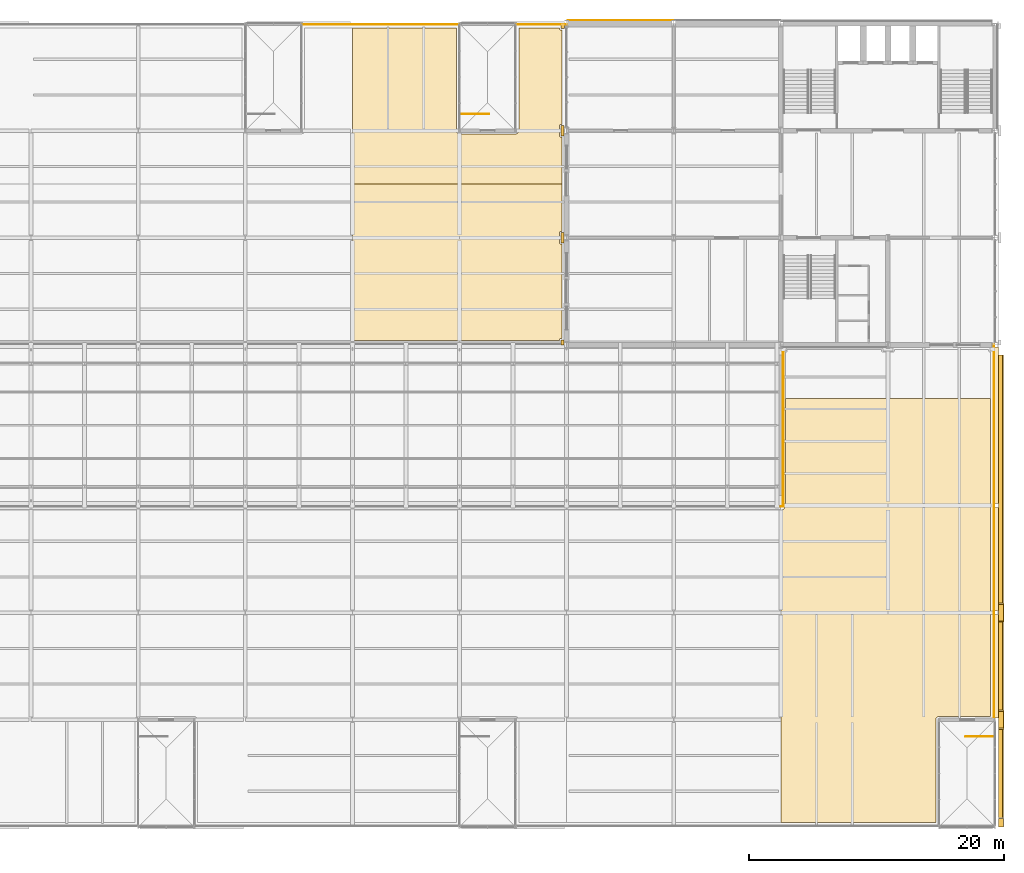
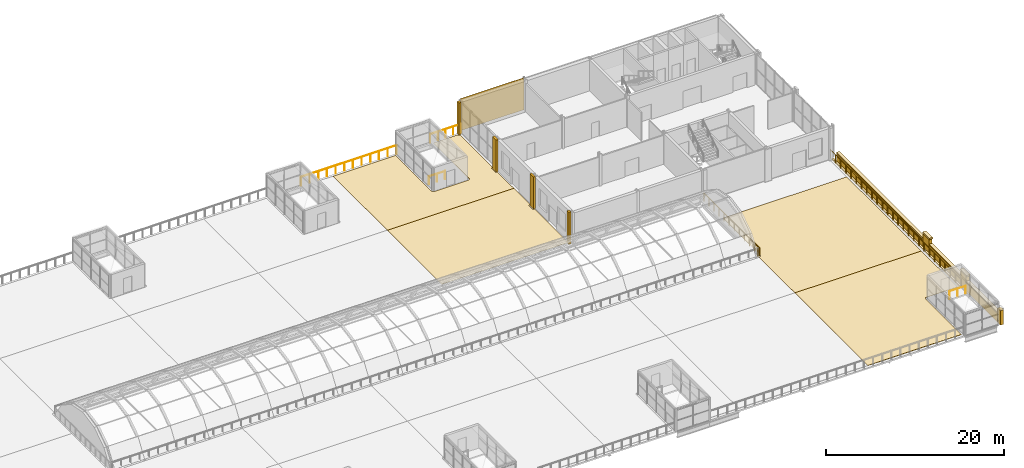
# One storey, part 53 of 58: 23 coverings, 6 railings.
"""IFC4 building model written with IfcOpenShell, lengths in metres."""

from ifc_helpers import new_model, si_unit, direction, frame, origin, origin_2d, place, context, subcontext, project, spatial, polyline, rectangle, circle, outline, extrude, material, layer, layer_set, type_object, element, save


model = new_model("IFC4")

# Units and contexts
model_context = context("Model", 3, precision=1e-05, world=origin(), true_north=direction((0.0, 1.0)))
body_context = subcontext(model_context, "Body", "Model", "MODEL_VIEW")
ifc_project = project(units=[si_unit("LENGTHUNIT", "METRE"), si_unit("AREAUNIT", "SQUARE_METRE"), si_unit("VOLUMEUNIT", "CUBIC_METRE"), si_unit("PLANEANGLEUNIT", "RADIAN"), si_unit("MASSUNIT", "GRAM", prefix="KILO")], contexts=[model_context])

# Site, building, storey
site_placement = place(None, origin())
site = spatial("IfcSite", under=ifc_project, at=site_placement, CompositionType="ELEMENT")
building_placement = place(site_placement, origin())
building = spatial("IfcBuilding", under=site, at=building_placement, Name="Galleria Vessillo Department Store", CompositionType="ELEMENT")
storey_placement = place(building_placement, frame((0.0, 0.0, 31.199951171875)))
storey = spatial("IfcBuildingStorey", under=building, at=storey_placement, Name="L06", CompositionType="ELEMENT", Elevation=31.199951171875)

# Coverings
ifc_material_1 = material(Name="Lime plaster (intonaco) ochre")
ifc_layer_1 = layer(ifc_material_1, 0.030029296875)
ifc_layer_set_1 = layer_set([ifc_layer_1], Name="Lime plaster (intonaco) ochre")
covering_type_1 = type_object("IfcCoveringType", Name="Lime plaster render 30 mm", PredefinedType="CLADDING", material=ifc_layer_set_1)
covering_1_placement = place(storey_placement, frame((88.222412109375, 63.264892578125, 0.0), z_axis=(0.0, 0.0, 1.0), x_axis=(1.0, 0.0, 0.0)))
element("IfcCovering", 1, at=covering_1_placement, inside=storey, type_object=covering_type_1, Name="Wall cladding S-TN-L06-01", PredefinedType="CLADDING", context=body_context, shape_type="SweptSolid", body=[
    extrude(rectangle(XDim=8.295166015625, YDim=0.030029296875, at=origin_2d()), origin(), (0.0, 0.0, 1.0), 4.39990234375),
])
ifc_material_2 = material(Name="Botticino limestone ashlar", Category="masonry")
ifc_layer_2 = layer(ifc_material_2, 0.409912109375)
ifc_layer_set_2 = layer_set([ifc_layer_2], Name="Botticino limestone ashlar")
covering_type_2 = type_object("IfcCoveringType", Name="Limestone attic pier 1300 x 410 x 2000", PredefinedType="CLADDING", material=ifc_layer_set_2)
covering_2_placement = place(storey_placement, frame((118.054931640625, 0.324951171875, -0.199951171875), z_axis=(0.0, 0.0, 1.0), x_axis=(1.0, 0.0, 0.0)))
element("IfcCovering", 2, at=covering_2_placement, inside=storey, type_object=covering_type_2, Name="Attic pier E y=0.0", PredefinedType="CLADDING", context=body_context, shape_type="SweptSolid", body=[
    extrude(rectangle(XDim=0.409912109375, YDim=0.64990234375, at=origin_2d()), origin(), (0.0, 0.0, 1.0), 2.0),
])
for number, where, z_axis, x_axis, name in (
    (3, (118.054931640625, 8.39990234375, -0.199951171875), (0.0, 0.0, 1.0), (1.0, 0.0, 0.0), "Attic pier E y=8.4"),
    (4, (118.054931640625, 16.800048828125, -0.199951171875), (0.0, 0.0, 1.0), (1.0, 0.0, 0.0), "Attic pier E y=16.8"),
):
    element("IfcCovering", number, at=place(storey_placement, frame(where, z_axis=z_axis, x_axis=x_axis)), inside=storey, type_object=covering_type_2, Name=name, PredefinedType="CLADDING", context=body_context, shape_type="SweptSolid", body=[
        extrude(rectangle(XDim=0.409912109375, YDim=1.300048828125, at=origin_2d()), origin(), (0.0, 0.0, 1.0), 2.0),
    ])
ifc_material_3 = material(Name="Botticino limestone ashlar", Category="masonry")
ifc_layer_3 = layer(ifc_material_3, 0.35009765625)
ifc_layer_set_3 = layer_set([ifc_layer_3], Name="Botticino limestone ashlar")
covering_type_3 = type_object("IfcCoveringType", Name="Limestone blocking course 350 x 1200", PredefinedType="CLADDING", material=ifc_layer_set_3)
covering_3_placement = place(storey_placement, frame((118.02490234375, 4.199951171875, -0.19970703125), z_axis=(0.0, 0.0, 1.0), x_axis=(1.0, 0.0, 0.0)))
element("IfcCovering", 5, at=covering_3_placement, inside=storey, type_object=covering_type_3, Name="Blocking course E y=0.7-7.7", PredefinedType="CLADDING", context=body_context, shape_type="SweptSolid", body=[
    extrude(rectangle(XDim=0.35009765625, YDim=7.099853515625, at=origin_2d()), origin(), (0.0, 0.0, 1.0), 1.199951171875),
])
covering_4_placement = place(storey_placement, frame((118.02490234375, 12.599853515625, -0.19970703125), z_axis=(0.0, 0.0, 1.0), x_axis=(1.0, 0.0, 0.0)))
element("IfcCovering", 6, at=covering_4_placement, inside=storey, type_object=covering_type_3, Name="Blocking course E y=9.0-16.2", PredefinedType="CLADDING", context=body_context, shape_type="SweptSolid", body=[
    extrude(rectangle(XDim=0.35009765625, YDim=7.10009765625, at=origin_2d()), origin(), (0.0, 0.0, 1.0), 1.199951171875),
])
covering_5_placement = place(storey_placement, frame((118.02490234375, 27.22509765625, -0.19970703125), z_axis=(0.0, 0.0, 1.0), x_axis=(1.0, 0.0, 0.0)))
element("IfcCovering", 7, at=covering_5_placement, inside=storey, type_object=covering_type_3, Name="Blocking course E y=17.4-37.0", PredefinedType="CLADDING", context=body_context, shape_type="SweptSolid", body=[
    extrude(rectangle(XDim=0.35009765625, YDim=19.550048828125, at=origin_2d()), origin(), (0.0, 0.0, 1.0), 1.199951171875),
])
ifc_material_4 = material(Name="Botticino limestone ashlar", Category="masonry")
ifc_layer_4 = layer(ifc_material_4, 0.429931640625)
ifc_layer_set_4 = layer_set([ifc_layer_4], Name="Botticino limestone ashlar")
covering_type_4 = type_object("IfcCoveringType", Name="Limestone blocking course cap 430 x 150", PredefinedType="MOLDING", material=ifc_layer_set_4)
covering_6_placement = place(storey_placement, frame((118.06494140625, 4.199951171875, 1.0), z_axis=(0.0, 0.0, 1.0), x_axis=(1.0, 0.0, 0.0)))
element("IfcCovering", 8, at=covering_6_placement, inside=storey, type_object=covering_type_4, Name="Blocking course cap E y=0.7-7.7", PredefinedType="MOLDING", context=body_context, shape_type="SweptSolid", body=[
    extrude(rectangle(XDim=0.429931640625, YDim=7.099853515625, at=origin_2d()), origin(), (0.0, 0.0, 1.0), 0.14990234375),
])
covering_7_placement = place(storey_placement, frame((118.06494140625, 12.599853515625, 1.0), z_axis=(0.0, 0.0, 1.0), x_axis=(1.0, 0.0, 0.0)))
element("IfcCovering", 9, at=covering_7_placement, inside=storey, type_object=covering_type_4, Name="Blocking course cap E y=9.0-16.2", PredefinedType="MOLDING", context=body_context, shape_type="SweptSolid", body=[
    extrude(rectangle(XDim=0.429931640625, YDim=7.10009765625, at=origin_2d()), origin(), (0.0, 0.0, 1.0), 0.14990234375),
])
covering_8_placement = place(storey_placement, frame((118.06494140625, 27.22509765625, 1.0), z_axis=(0.0, 0.0, 1.0), x_axis=(1.0, 0.0, 0.0)))
element("IfcCovering", 10, at=covering_8_placement, inside=storey, type_object=covering_type_4, Name="Blocking course cap E y=17.4-37.0", PredefinedType="MOLDING", context=body_context, shape_type="SweptSolid", body=[
    extrude(rectangle(XDim=0.429931640625, YDim=19.550048828125, at=origin_2d()), origin(), (0.0, 0.0, 1.0), 0.14990234375),
])
ifc_material_5 = material(Name="Botticino limestone ashlar", Category="masonry")
ifc_layer_5 = layer(ifc_material_5, 0.449951171875)
ifc_layer_set_5 = layer_set([ifc_layer_5], Name="Botticino limestone ashlar")
covering_type_5 = type_object("IfcCoveringType", Name="Limestone pier cap 1500 x 450 x 200", PredefinedType="MOLDING", material=ifc_layer_set_5)
for number, where, z_axis, x_axis, name in (
    (11, (118.074951171875, 8.39990234375, 1.80029296875), (0.0, 0.0, 1.0), (1.0, 0.0, 0.0), "Attic pier cap E y=8.4"),
    (12, (118.074951171875, 16.800048828125, 1.80029296875), (0.0, 0.0, 1.0), (1.0, 0.0, 0.0), "Attic pier cap E y=16.8"),
):
    element("IfcCovering", number, at=place(storey_placement, frame(where, z_axis=z_axis, x_axis=x_axis)), inside=storey, type_object=covering_type_5, Name=name, PredefinedType="MOLDING", context=body_context, shape_type="SweptSolid", body=[
        extrude(rectangle(XDim=0.449951171875, YDim=1.5, at=origin_2d()), origin(), (0.0, 0.0, 1.0), 0.199951171875),
    ])
ifc_material_6 = material(Name="Botticino limestone ashlar", Category="masonry")
ifc_layer_6 = layer(ifc_material_6, 0.14990234375)
ifc_layer_set_6 = layer_set([ifc_layer_6], Name="Botticino limestone ashlar")
covering_type_6 = type_object("IfcCoveringType", Name="Limestone slab-edge fascia 150 mm", PredefinedType="CLADDING", material=ifc_layer_set_6)
covering_9_placement = place(storey_placement, frame((117.72509765625, 12.60009765625, -0.19970703125), z_axis=(0.0, 0.0, 1.0), x_axis=(1.0, 0.0, 0.0)))
element("IfcCovering", 13, at=covering_9_placement, inside=storey, type_object=covering_type_6, Name="Slab-edge fascia SE-L05-01", PredefinedType="CLADDING", context=body_context, shape_type="SweptSolid", body=[
    extrude(rectangle(XDim=0.25, YDim=8.10009765625, at=origin_2d()), origin(), (0.0, 0.0, 1.0), 0.199951171875),
])
covering_10_placement = place(storey_placement, frame((117.72509765625, 20.998779296875, -0.19970703125), z_axis=(0.0, 0.0, 1.0), x_axis=(1.0, 0.0, 0.0)))
element("IfcCovering", 14, at=covering_10_placement, inside=storey, type_object=covering_type_6, Name="Slab-edge fascia SE-L05-02", PredefinedType="CLADDING", context=body_context, shape_type="SweptSolid", body=[
    extrude(rectangle(XDim=0.25, YDim=8.097412109375, at=origin_2d()), origin(), (0.0, 0.0, 1.0), 0.199951171875),
])
covering_11_placement = place(storey_placement, frame((117.72509765625, 31.49951171875, -0.19970703125), z_axis=(0.0, 0.0, 1.0), x_axis=(1.0, 0.0, 0.0)))
element("IfcCovering", 15, at=covering_11_placement, inside=storey, type_object=covering_type_6, Name="Slab-edge fascia SE-L05-03", PredefinedType="CLADDING", context=body_context, shape_type="SweptSolid", body=[
    extrude(rectangle(XDim=0.25, YDim=12.294189453125, at=origin_2d()), origin(), (0.0, 0.0, 1.0), 0.199951171875),
])
ifc_material_7 = material(Name="Botticino limestone ashlar", Category="masonry")
ifc_layer_7 = layer(ifc_material_7, 0.31005859375)
ifc_layer_set_7 = layer_set([ifc_layer_7], Name="Botticino limestone ashlar")
covering_type_7 = type_object("IfcCoveringType", Name="Limestone tower pilaster strip", PredefinedType="CLADDING", material=ifc_layer_set_7)
covering_12_placement = place(storey_placement, frame((83.669921875, 38.0, 0.0), z_axis=(0.0, 0.0, 1.0), x_axis=(1.0, 0.0, 0.0)))
element("IfcCovering", 16, at=covering_12_placement, inside=storey, type_object=covering_type_7, Name="Tower pilaster strip W L06 37.8", PredefinedType="CLADDING", context=body_context, shape_type="SweptSolid", body=[
    extrude(rectangle(XDim=0.260009765625, YDim=0.39990234375, at=origin_2d()), origin(), (0.0, 0.0, 1.0), 4.39990234375),
])
for number, where, z_axis, x_axis, name in (
    (17, (83.669921875, 46.199951171875, 0.0), (0.0, 0.0, 1.0), (1.0, 0.0, 0.0), "Tower pilaster strip W L06 46.2"),
    (18, (83.669921875, 54.60009765625, 0.0), (0.0, 0.0, 1.0), (1.0, 0.0, 0.0), "Tower pilaster strip W L06 54.6"),
):
    element("IfcCovering", number, at=place(storey_placement, frame(where, z_axis=z_axis, x_axis=x_axis)), inside=storey, type_object=covering_type_7, Name=name, PredefinedType="CLADDING", context=body_context, shape_type="SweptSolid", body=[
        extrude(rectangle(XDim=0.260009765625, YDim=0.800048828125, at=origin_2d()), origin(), (0.0, 0.0, 1.0), 4.39990234375),
    ])
covering_13_placement = place(storey_placement, frame((83.695068359375, 62.800048828125, 0.0), z_axis=(0.0, 0.0, 1.0), x_axis=(1.0, 0.0, 0.0)))
element("IfcCovering", 19, at=covering_13_placement, inside=storey, type_object=covering_type_7, Name="Tower pilaster strip W L06 63.0", PredefinedType="CLADDING", context=body_context, shape_type="SweptSolid", body=[
    extrude(rectangle(XDim=0.31005859375, YDim=0.39990234375, at=origin_2d()), origin(), (0.0, 0.0, 1.0), 4.39990234375),
])

# Railings
ifc_material_8 = material(Name="Limestone ashlar balusters", Category="masonry")
railing_type_1 = type_object("IfcRailingType", Name="Podium roof balustrade 1200 mm", PredefinedType="BALUSTRADE", material=ifc_material_8)
railing_1_placement = place(storey_placement, frame((63.199951171875, 62.919921875, 0.0)))
element("IfcRailing", 20, at=railing_1_placement, inside=storey, type_object=railing_type_1, Name="Podium roof balustrade L06-10", PredefinedType="BALUSTRADE", context=body_context, shape_type="SweptSolid", body=[
    extrude(circle(Radius=0.02392578125, at=origin_2d()), frame((0.0, 0.0, 1.17578125), z_axis=(1.0, 0.0, 0.0), x_axis=(0.0, 1.0, 0.0)), (0.0, 0.0, 1.0), 12.400146484375),
    extrude(circle(Radius=0.02099609375, at=origin_2d()), origin(), (0.0, 0.0, 1.0), 1.15185546875),
    extrude(circle(Radius=0.02099609375, at=origin_2d()), frame((1.127197265625, 0.0, 0.0)), (0.0, 0.0, 1.0), 1.15185546875),
    extrude(circle(Radius=0.02099609375, at=origin_2d()), frame((2.254638671875, 0.0, 0.0)), (0.0, 0.0, 1.0), 1.15185546875),
    extrude(circle(Radius=0.02099609375, at=origin_2d()), frame((3.3818359375, 0.0, 0.0)), (0.0, 0.0, 1.0), 1.15185546875),
    extrude(circle(Radius=0.02099609375, at=origin_2d()), frame((4.509033203125, 0.0, 0.0)), (0.0, 0.0, 1.0), 1.15185546875),
    extrude(circle(Radius=0.02099609375, at=origin_2d()), frame((5.636474609375, 0.0, 0.0)), (0.0, 0.0, 1.0), 1.15185546875),
    extrude(circle(Radius=0.02099609375, at=origin_2d()), frame((6.763671875, 0.0, 0.0)), (0.0, 0.0, 1.0), 1.15185546875),
    extrude(circle(Radius=0.02099609375, at=origin_2d()), frame((7.89111328125, 0.0, 0.0)), (0.0, 0.0, 1.0), 1.15185546875),
    extrude(circle(Radius=0.02099609375, at=origin_2d()), frame((9.018310546875, 0.0, 0.0)), (0.0, 0.0, 1.0), 1.15185546875),
    extrude(circle(Radius=0.02099609375, at=origin_2d()), frame((10.1455078125, 0.0, 0.0)), (0.0, 0.0, 1.0), 1.15185546875),
    extrude(circle(Radius=0.02099609375, at=origin_2d()), frame((11.27294921875, 0.0, 0.0)), (0.0, 0.0, 1.0), 1.15185546875),
    extrude(circle(Radius=0.02099609375, at=origin_2d()), frame((12.400146484375, 0.0, 0.0)), (0.0, 0.0, 1.0), 1.15185546875),
])
railing_2_placement = place(storey_placement, frame((80.0, 62.919921875, 0.0)))
element("IfcRailing", 21, at=railing_2_placement, inside=storey, type_object=railing_type_1, Name="Podium roof balustrade L06-11", PredefinedType="BALUSTRADE", context=body_context, shape_type="SweptSolid", body=[
    extrude(circle(Radius=0.02392578125, at=origin_2d()), frame((0.0, 0.0, 1.17578125), z_axis=(1.0, 0.0, 0.0), x_axis=(0.0, 1.0, 0.0)), (0.0, 0.0, 1.0), 4.0),
    extrude(circle(Radius=0.02099609375, at=origin_2d()), origin(), (0.0, 0.0, 1.0), 1.15185546875),
    extrude(circle(Radius=0.02099609375, at=origin_2d()), frame((1.0, 0.0, 0.0)), (0.0, 0.0, 1.0), 1.15185546875),
    extrude(circle(Radius=0.02099609375, at=origin_2d()), frame((2.0, 0.0, 0.0)), (0.0, 0.0, 1.0), 1.15185546875),
    extrude(circle(Radius=0.02099609375, at=origin_2d()), frame((3.0, 0.0, 0.0)), (0.0, 0.0, 1.0), 1.15185546875),
    extrude(circle(Radius=0.02099609375, at=origin_2d()), frame((4.0, 0.0, 0.0)), (0.0, 0.0, 1.0), 1.15185546875),
])
railing_3_placement = place(storey_placement, frame((117.52001953125, 8.39990234375, 0.0)))
element("IfcRailing", 22, at=railing_3_placement, inside=storey, type_object=railing_type_1, Name="Podium roof balustrade L06-12", PredefinedType="BALUSTRADE", context=body_context, shape_type="SweptSolid", body=[
    extrude(circle(Radius=0.02392578125, at=origin_2d()), frame((0.0, 0.0, 1.17578125), z_axis=(0.0, 1.0, 0.0), x_axis=(-1.0, 0.0, 0.0)), (0.0, 0.0, 1.0), 29.400146484375),
    extrude(circle(Radius=0.02099609375, at=origin_2d()), origin(), (0.0, 0.0, 1.0), 1.15185546875),
    extrude(circle(Radius=0.02099609375, at=origin_2d()), frame((0.0, 1.176025390625, 0.0)), (0.0, 0.0, 1.0), 1.15185546875),
    extrude(circle(Radius=0.02099609375, at=origin_2d()), frame((0.0, 2.35205078125, 0.0)), (0.0, 0.0, 1.0), 1.15185546875),
    extrude(circle(Radius=0.02099609375, at=origin_2d()), frame((0.0, 3.528076171875, 0.0)), (0.0, 0.0, 1.0), 1.15185546875),
    extrude(circle(Radius=0.02099609375, at=origin_2d()), frame((0.0, 4.7041015625, 0.0)), (0.0, 0.0, 1.0), 1.15185546875),
    extrude(circle(Radius=0.02099609375, at=origin_2d()), frame((0.0, 5.880126953125, 0.0)), (0.0, 0.0, 1.0), 1.15185546875),
    extrude(circle(Radius=0.02099609375, at=origin_2d()), frame((0.0, 7.05615234375, 0.0)), (0.0, 0.0, 1.0), 1.15185546875),
    extrude(circle(Radius=0.02099609375, at=origin_2d()), frame((0.0, 8.23193359375, 0.0)), (0.0, 0.0, 1.0), 1.15185546875),
    extrude(circle(Radius=0.02099609375, at=origin_2d()), frame((0.0, 9.407958984375, 0.0)), (0.0, 0.0, 1.0), 1.15185546875),
    extrude(circle(Radius=0.02099609375, at=origin_2d()), frame((0.0, 10.583984375, 0.0)), (0.0, 0.0, 1.0), 1.15185546875),
    extrude(circle(Radius=0.02099609375, at=origin_2d()), frame((0.0, 11.760009765625, 0.0)), (0.0, 0.0, 1.0), 1.15185546875),
    extrude(circle(Radius=0.02099609375, at=origin_2d()), frame((0.0, 12.93603515625, 0.0)), (0.0, 0.0, 1.0), 1.15185546875),
    extrude(circle(Radius=0.02099609375, at=origin_2d()), frame((0.0, 14.112060546875, 0.0)), (0.0, 0.0, 1.0), 1.15185546875),
    extrude(circle(Radius=0.02099609375, at=origin_2d()), frame((0.0, 15.2880859375, 0.0)), (0.0, 0.0, 1.0), 1.15185546875),
    extrude(circle(Radius=0.02099609375, at=origin_2d()), frame((0.0, 16.464111328125, 0.0)), (0.0, 0.0, 1.0), 1.15185546875),
    extrude(circle(Radius=0.02099609375, at=origin_2d()), frame((0.0, 17.64013671875, 0.0)), (0.0, 0.0, 1.0), 1.15185546875),
    extrude(circle(Radius=0.02099609375, at=origin_2d()), frame((0.0, 18.816162109375, 0.0)), (0.0, 0.0, 1.0), 1.15185546875),
    extrude(circle(Radius=0.02099609375, at=origin_2d()), frame((0.0, 19.9921875, 0.0)), (0.0, 0.0, 1.0), 1.15185546875),
    extrude(circle(Radius=0.02099609375, at=origin_2d()), frame((0.0, 21.168212890625, 0.0)), (0.0, 0.0, 1.0), 1.15185546875),
    extrude(circle(Radius=0.02099609375, at=origin_2d()), frame((0.0, 22.343994140625, 0.0)), (0.0, 0.0, 1.0), 1.15185546875),
    extrude(circle(Radius=0.02099609375, at=origin_2d()), frame((0.0, 23.52001953125, 0.0)), (0.0, 0.0, 1.0), 1.15185546875),
    extrude(circle(Radius=0.02099609375, at=origin_2d()), frame((0.0, 24.696044921875, 0.0)), (0.0, 0.0, 1.0), 1.15185546875),
    extrude(circle(Radius=0.02099609375, at=origin_2d()), frame((0.0, 25.8720703125, 0.0)), (0.0, 0.0, 1.0), 1.15185546875),
    extrude(circle(Radius=0.02099609375, at=origin_2d()), frame((0.0, 27.048095703125, 0.0)), (0.0, 0.0, 1.0), 1.15185546875),
    extrude(circle(Radius=0.02099609375, at=origin_2d()), frame((0.0, 28.22412109375, 0.0)), (0.0, 0.0, 1.0), 1.15185546875),
    extrude(circle(Radius=0.02099609375, at=origin_2d()), frame((0.0, 29.400146484375, 0.0)), (0.0, 0.0, 1.0), 1.15185546875),
])

# Coverings
ifc_material_9 = material(Name="Serizzo granite paving", Category="masonry")
ifc_layer_8 = layer(ifc_material_9, 0.0400390625)
ifc_layer_set_8 = layer_set([ifc_layer_8], Name="Serizzo granite paving")
covering_type_8 = type_object("IfcCoveringType", Name="Serizzo stone terrace paving 40 mm", PredefinedType="FLOORING", material=ifc_layer_set_8)
covering_14_placement = place(storey_placement, origin())
element("IfcCovering", 23, at=covering_14_placement, inside=storey, type_object=covering_type_8, Name="Terrace paving L06 field 19", PredefinedType="FLOORING", context=body_context, shape_type="SweptSolid", body=[
    extrude(outline(polyline([(83.64990234375, 46.699951171875), (83.5400390625, 46.699951171875), (83.5302734375, 46.699462890625), (83.5205078125, 46.697998046875), (83.510986328125, 46.69580078125), (83.501708984375, 46.6923828125), (83.492919921875, 46.688232421875), (83.484375, 46.68310546875), (83.4765625, 46.67724609375), (83.46923828125, 46.670654296875), (83.462646484375, 46.663330078125), (83.456787109375, 46.655517578125), (83.451904296875, 46.647216796875), (83.447509765625, 46.63818359375), (83.4443359375, 46.629150390625), (83.44189453125, 46.61962890625), (83.4404296875, 46.60986328125), (83.43994140625, 46.60009765625), (83.43994140625, 45.800048828125), (83.4404296875, 45.790283203125), (83.44189453125, 45.780517578125), (83.4443359375, 45.77099609375), (83.447509765625, 45.76171875), (83.451904296875, 45.7529296875), (83.456787109375, 45.744384765625), (83.462646484375, 45.736572265625), (83.46923828125, 45.729248046875), (83.4765625, 45.72265625), (83.484375, 45.716796875), (83.492919921875, 45.7119140625), (83.501708984375, 45.70751953125), (83.510986328125, 45.704345703125), (83.5205078125, 45.701904296875), (83.5302734375, 45.700439453125), (83.5400390625, 45.699951171875), (83.64990234375, 45.699951171875), (83.64990234375, 38.300048828125), (83.5400390625, 38.300048828125), (83.5302734375, 38.299560546875), (83.5205078125, 38.298095703125), (83.510986328125, 38.295654296875), (83.501708984375, 38.29248046875), (83.492919921875, 38.2880859375), (83.484375, 38.283203125), (83.4765625, 38.27734375), (83.46923828125, 38.270751953125), (83.462646484375, 38.263427734375), (83.456787109375, 38.255615234375), (83.451904296875, 38.2470703125), (83.447509765625, 38.23828125), (83.4443359375, 38.22900390625), (83.44189453125, 38.219482421875), (83.4404296875, 38.209716796875), (83.43994140625, 38.199951171875), (83.43994140625, 38.150146484375), (67.199951171875, 38.150146484375), (67.199951171875, 50.39990234375), (83.64990234375, 50.39990234375), (83.64990234375, 46.699951171875)])), origin(), (0.0, 0.0, 1.0), 0.0400390625),
])
covering_15_placement = place(storey_placement, origin())
element("IfcCovering", 24, at=covering_15_placement, inside=storey, type_object=covering_type_8, Name="Terrace paving L06 field 20", PredefinedType="FLOORING", context=body_context, shape_type="SweptSolid", body=[
    extrude(outline(polyline([(75.35009765625, 62.64990234375), (75.35009765625, 54.60009765625), (75.351318359375, 54.57568359375), (75.35498046875, 54.55126953125), (75.36083984375, 54.527587890625), (75.369140625, 54.50439453125), (75.379638671875, 54.482177734375), (75.392333984375, 54.461181640625), (75.40673828125, 54.44140625), (75.42333984375, 54.42333984375), (75.44140625, 54.40673828125), (75.461181640625, 54.392333984375), (75.482177734375, 54.379638671875), (75.50439453125, 54.369140625), (75.527587890625, 54.36083984375), (75.55126953125, 54.35498046875), (75.57568359375, 54.351318359375), (75.60009765625, 54.35009765625), (75.650146484375, 54.35009765625), (75.650146484375, 54.35009765625), (79.949951171875, 54.35009765625), (79.949951171875, 54.35009765625), (80.0, 54.35009765625), (80.0244140625, 54.351318359375), (80.048828125, 54.35498046875), (80.072509765625, 54.36083984375), (80.095703125, 54.369140625), (80.117919921875, 54.379638671875), (80.138916015625, 54.392333984375), (80.15869140625, 54.40673828125), (80.1767578125, 54.42333984375), (80.193359375, 54.44140625), (80.207763671875, 54.461181640625), (80.220458984375, 54.482177734375), (80.23095703125, 54.50439453125), (80.2392578125, 54.527587890625), (80.2451171875, 54.55126953125), (80.248779296875, 54.57568359375), (80.25, 54.60009765625), (80.25, 62.64990234375), (83.43994140625, 62.64990234375), (83.43994140625, 62.60009765625), (83.4404296875, 62.590087890625), (83.44189453125, 62.58056640625), (83.4443359375, 62.571044921875), (83.447509765625, 62.561767578125), (83.451904296875, 62.552978515625), (83.456787109375, 62.54443359375), (83.462646484375, 62.53662109375), (83.46923828125, 62.529296875), (83.4765625, 62.522705078125), (83.484375, 62.516845703125), (83.492919921875, 62.51171875), (83.501708984375, 62.507568359375), (83.510986328125, 62.50439453125), (83.5205078125, 62.501953125), (83.5302734375, 62.50048828125), (83.5400390625, 62.5), (83.64990234375, 62.5), (83.64990234375, 55.10009765625), (83.5400390625, 55.10009765625), (83.5302734375, 55.099609375), (83.5205078125, 55.09814453125), (83.510986328125, 55.095703125), (83.501708984375, 55.092529296875), (83.492919921875, 55.08837890625), (83.484375, 55.083251953125), (83.4765625, 55.077392578125), (83.46923828125, 55.07080078125), (83.462646484375, 55.0634765625), (83.456787109375, 55.0556640625), (83.451904296875, 55.047119140625), (83.447509765625, 55.038330078125), (83.4443359375, 55.029052734375), (83.44189453125, 55.01953125), (83.4404296875, 55.010009765625), (83.43994140625, 55.0), (83.43994140625, 54.2001953125), (83.4404296875, 54.190185546875), (83.44189453125, 54.1806640625), (83.4443359375, 54.171142578125), (83.447509765625, 54.161865234375), (83.451904296875, 54.153076171875), (83.456787109375, 54.14453125), (83.462646484375, 54.13671875), (83.46923828125, 54.12939453125), (83.4765625, 54.122802734375), (83.484375, 54.116943359375), (83.492919921875, 54.11181640625), (83.501708984375, 54.107666015625), (83.510986328125, 54.1044921875), (83.5205078125, 54.10205078125), (83.5302734375, 54.1005859375), (83.5400390625, 54.10009765625), (83.64990234375, 54.10009765625), (83.64990234375, 50.39990234375), (67.199951171875, 50.39990234375), (67.199951171875, 62.64990234375), (75.35009765625, 62.64990234375)])), origin(), (0.0, 0.0, 1.0), 0.0400390625),
])
covering_16_placement = place(storey_placement, origin())
element("IfcCovering", 25, at=covering_16_placement, inside=storey, type_object=covering_type_8, Name="Terrace paving L06 field 23", PredefinedType="FLOORING", context=body_context, shape_type="SweptSolid", body=[
    extrude(outline(polyline([(117.25, 8.64990234375), (113.25, 8.64990234375), (113.25, 8.64990234375), (113.199951171875, 8.64990234375), (113.175537109375, 8.648681640625), (113.151123046875, 8.64501953125), (113.12744140625, 8.63916015625), (113.104248046875, 8.630859375), (113.08203125, 8.620361328125), (113.06103515625, 8.607666015625), (113.041259765625, 8.59326171875), (113.023193359375, 8.57666015625), (113.006591796875, 8.55859375), (112.9921875, 8.538818359375), (112.9794921875, 8.517822265625), (112.968994140625, 8.49560546875), (112.960693359375, 8.472412109375), (112.954833984375, 8.44873046875), (112.951171875, 8.42431640625), (112.949951171875, 8.39990234375), (112.949951171875, 0.35009765625), (100.800048828125, 0.35009765625), (100.800048828125, 16.800048828125), (117.25, 16.800048828125), (117.25, 8.64990234375)])), origin(), (0.0, 0.0, 1.0), 0.0400390625),
])
covering_17_placement = place(storey_placement, origin())
element("IfcCovering", 26, at=covering_17_placement, inside=storey, type_object=covering_type_8, Name="Terrace paving L06 field 24", PredefinedType="FLOORING", context=body_context, shape_type="SweptSolid", body=[
    extrude(outline(polyline([(100.800048828125, 24.849853515625), (100.83447265625, 24.8515625), (100.868408203125, 24.856689453125), (100.901611328125, 24.864990234375), (100.93408203125, 24.876708984375), (100.965087890625, 24.891357421875), (100.994384765625, 24.908935546875), (101.02197265625, 24.929443359375), (101.047607421875, 24.952392578125), (101.070556640625, 24.97802734375), (101.091064453125, 25.005615234375), (101.108642578125, 25.034912109375), (101.123291015625, 25.06591796875), (101.135009765625, 25.098388671875), (101.143310546875, 25.131591796875), (101.1484375, 25.16552734375), (101.150146484375, 25.199951171875), (101.150146484375, 33.60009765625), (117.25, 33.60009765625), (117.25, 16.800048828125), (100.800048828125, 16.800048828125), (100.800048828125, 24.849853515625), (100.800048828125, 24.849853515625)])), origin(), (0.0, 0.0, 1.0), 0.0400390625),
])

# Railings
ifc_material_10 = material(Name="Stainless steel tube", Category="steel")
railing_type_2 = type_object("IfcRailingType", Name="Stair well guard 1100 mm", PredefinedType="GUARDRAIL", material=ifc_material_10)
railing_4_placement = place(storey_placement, frame((75.800048828125, 55.919921875, 0.0)))
element("IfcRailing", 27, at=railing_4_placement, inside=storey, type_object=railing_type_2, Name="Stair well guard ST6 L06", PredefinedType="GUARDRAIL", context=body_context, shape_type="SweptSolid", body=[
    extrude(circle(Radius=0.02392578125, at=origin_2d()), frame((0.0, 0.0, 1.076171875), z_axis=(1.0, 0.0, 0.0), x_axis=(0.0, 1.0, 0.0)), (0.0, 0.0, 1.0), 2.10009765625),
    extrude(circle(Radius=0.02099609375, at=origin_2d()), origin(), (0.0, 0.0, 1.0), 1.052001953125),
    extrude(circle(Radius=0.02099609375, at=origin_2d()), frame((1.050048828125, 0.0, 0.0)), (0.0, 0.0, 1.0), 1.052001953125),
    extrude(circle(Radius=0.02099609375, at=origin_2d()), frame((2.10009765625, 0.0, 0.0)), (0.0, 0.0, 1.0), 1.052001953125),
])
railing_5_placement = place(storey_placement, frame((117.400146484375, 7.080078125, 0.0)))
element("IfcRailing", 28, at=railing_5_placement, inside=storey, type_object=railing_type_2, Name="Stair well guard ST7 L06", PredefinedType="GUARDRAIL", context=body_context, shape_type="SweptSolid", body=[
    extrude(circle(Radius=0.02392578125, at=origin_2d()), frame((0.0, 0.0, 1.076171875), z_axis=(-1.0, 0.0, 0.0), x_axis=(0.0, -1.0, 0.0)), (0.0, 0.0, 1.0), 2.10009765625),
    extrude(circle(Radius=0.02099609375, at=origin_2d()), origin(), (0.0, 0.0, 1.0), 1.052001953125),
    extrude(circle(Radius=0.02099609375, at=origin_2d()), frame((-1.050048828125, 0.0, 0.0)), (0.0, 0.0, 1.0), 1.052001953125),
    extrude(circle(Radius=0.02099609375, at=origin_2d()), frame((-2.10009765625, 0.0, 0.0)), (0.0, 0.0, 1.0), 1.052001953125),
])
ifc_material_11 = material(Name="Stainless steel tube", Category="steel")
railing_type_3 = type_object("IfcRailingType", Name="Vault edge guard 1100 mm", PredefinedType="GUARDRAIL", material=ifc_material_11)
railing_6_placement = place(storey_placement, frame((100.800048828125, 25.1201171875, 0.0)))
element("IfcRailing", 29, at=railing_6_placement, inside=storey, type_object=railing_type_3, Name="Vault edge guard east end L06", PredefinedType="GUARDRAIL", context=body_context, shape_type="SweptSolid", body=[
    extrude(circle(Radius=0.02392578125, at=origin_2d()), frame((0.0, 0.0, 1.076171875), z_axis=(1.0, 0.0, 0.0), x_axis=(0.0, 1.0, 0.0)), (0.0, 0.0, 1.0), 0.18994140625),
    extrude(circle(Radius=0.02392578125, at=origin_2d()), frame((0.18994140625, 0.0, 1.076171875), z_axis=(0.0, 1.0, 0.0), x_axis=(-1.0, 0.0, 0.0)), (0.0, 0.0, 1.0), 12.47998046875),
    extrude(circle(Radius=0.02099609375, at=origin_2d()), origin(), (0.0, 0.0, 1.0), 1.052001953125),
    extrude(circle(Radius=0.02099609375, at=origin_2d()), frame((0.18994140625, 0.0, 0.0)), (0.0, 0.0, 1.0), 1.052001953125),
    extrude(circle(Radius=0.02099609375, at=origin_2d()), frame((0.18994140625, 1.134521484375, 0.0)), (0.0, 0.0, 1.0), 1.052001953125),
    extrude(circle(Radius=0.02099609375, at=origin_2d()), frame((0.18994140625, 2.26904296875, 0.0)), (0.0, 0.0, 1.0), 1.052001953125),
    extrude(circle(Radius=0.02099609375, at=origin_2d()), frame((0.18994140625, 3.403564453125, 0.0)), (0.0, 0.0, 1.0), 1.052001953125),
    extrude(circle(Radius=0.02099609375, at=origin_2d()), frame((0.18994140625, 4.5380859375, 0.0)), (0.0, 0.0, 1.0), 1.052001953125),
    extrude(circle(Radius=0.02099609375, at=origin_2d()), frame((0.18994140625, 5.672607421875, 0.0)), (0.0, 0.0, 1.0), 1.052001953125),
    extrude(circle(Radius=0.02099609375, at=origin_2d()), frame((0.18994140625, 6.807373046875, 0.0)), (0.0, 0.0, 1.0), 1.052001953125),
    extrude(circle(Radius=0.02099609375, at=origin_2d()), frame((0.18994140625, 7.94189453125, 0.0)), (0.0, 0.0, 1.0), 1.052001953125),
    extrude(circle(Radius=0.02099609375, at=origin_2d()), frame((0.18994140625, 9.076416015625, 0.0)), (0.0, 0.0, 1.0), 1.052001953125),
    extrude(circle(Radius=0.02099609375, at=origin_2d()), frame((0.18994140625, 10.2109375, 0.0)), (0.0, 0.0, 1.0), 1.052001953125),
    extrude(circle(Radius=0.02099609375, at=origin_2d()), frame((0.18994140625, 11.345458984375, 0.0)), (0.0, 0.0, 1.0), 1.052001953125),
    extrude(circle(Radius=0.02099609375, at=origin_2d()), frame((0.18994140625, 12.47998046875, 0.0)), (0.0, 0.0, 1.0), 1.052001953125),
])

save(model, "model.ifc")
